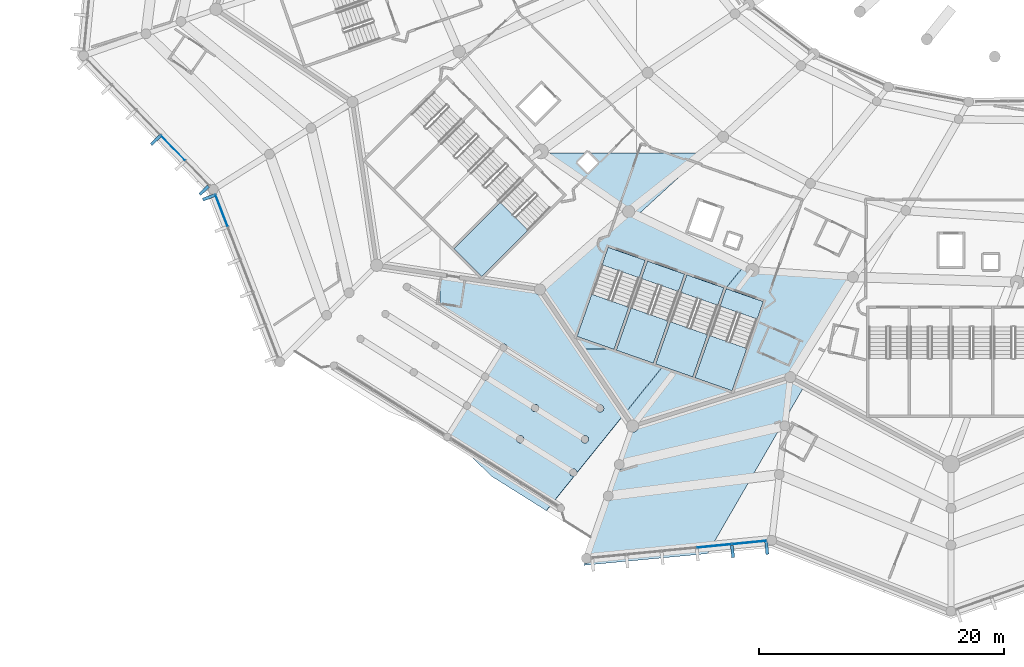
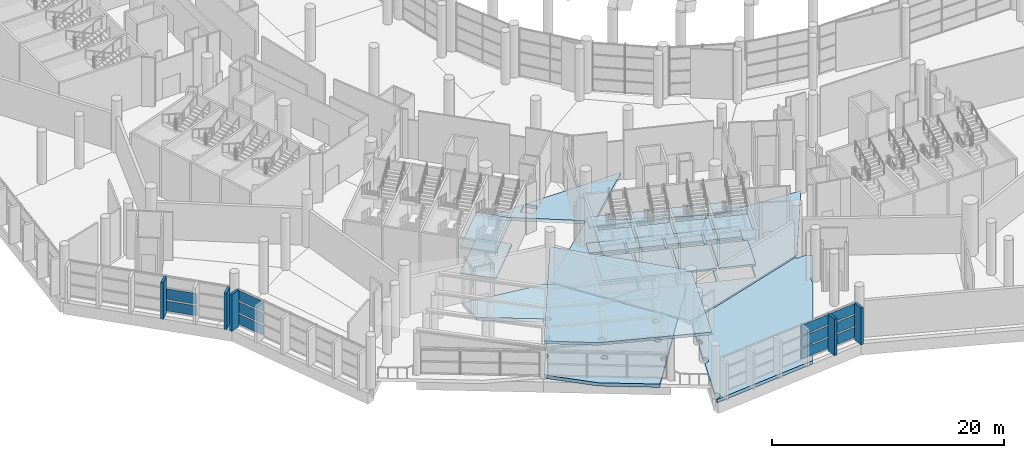
# One storey, part 114 of 271: 24 slabs, 16 plates, 8 elements without a shape of their own.
"""IFC4 building model written with IfcOpenShell, lengths in metres."""

from ifc_helpers import new_model, si_unit, direction, frame, origin, origin_2d, place, context, subcontext, project, spatial, polyline, rectangle, outline, extrude, material, layer, layer_set, type_object, element, aggregate, save


model = new_model("IFC4")

# Units and contexts
model_context = context("Model", 3, precision=1e-05, world=origin(), true_north=direction((0.0, 1.0)))
body_context = subcontext(model_context, "Body", "Model", "MODEL_VIEW")
ifc_project = project(units=[si_unit("LENGTHUNIT", "METRE"), si_unit("AREAUNIT", "SQUARE_METRE"), si_unit("VOLUMEUNIT", "CUBIC_METRE"), si_unit("PLANEANGLEUNIT", "RADIAN"), si_unit("MASSUNIT", "GRAM", prefix="KILO")], contexts=[model_context])

# Site, building, storey
site_placement = place(None, origin())
site = spatial("IfcSite", under=ifc_project, at=site_placement, CompositionType="ELEMENT")
building_placement = place(site_placement, origin())
building = spatial("IfcBuilding", under=site, at=building_placement, Name="Meseta Stadium", CompositionType="ELEMENT")
storey_placement = place(building_placement, frame((0.0, 0.0, 6.5)))
storey = spatial("IfcBuildingStorey", under=building, at=storey_placement, Name="L01", CompositionType="ELEMENT", Elevation=6.5)

# Slabs
ifc_material_1 = material(Name="Concrete C40/50", Category="concrete")
ifc_layer_1 = layer(ifc_material_1, 0.35009765625)
ifc_layer_set_1 = layer_set([ifc_layer_1], Name="Floor slab 350")
slab_type_1 = type_object("IfcSlabType", Name="Floor slab 350", PredefinedType="FLOOR", material=ifc_layer_set_1)
slab_1_placement = place(storey_placement, frame((0.0, 0.0, -0.35009765625)))
element("IfcSlab", 1, at=slab_1_placement, inside=storey, type_object=slab_type_1, Name="Floor slab L01 sector 35 panel 14", PredefinedType="FLOOR", context=body_context, shape_type="SweptSolid", body=[
    extrude(outline(polyline([(-65.8173828125, -96.0380859375), (-65.9267578125, -96.0), (-68.56640625, -96.0), (-64.973388671875, -101.294921875), (-61.85107421875, -97.426025390625), (-62.419677734375, -97.227294921875), (-61.990234375, -96.0), (-62.201904296875, -96.0), (-62.6083984375, -97.1611328125), (-65.62890625, -96.104248046875), (-65.59228515625, -96.0), (-65.80419921875, -96.0), (-65.8173828125, -96.0380859375)])), origin(), (0.0, 0.0, 1.0), 0.35009765625),
])
slab_2_placement = place(storey_placement, frame((0.0, 0.0, -0.35009765625)))
element("IfcSlab", 2, at=slab_2_placement, inside=storey, type_object=slab_type_1, Name="Floor slab L01 sector 35 panel 15", PredefinedType="FLOOR", context=body_context, shape_type="SweptSolid", body=[
    extrude(outline(polyline([(-67.114501953125, -80.802001953125), (-67.963134765625, -81.650390625), (-68.811767578125, -80.802001953125), (-68.009765625, -80.0), (-71.61328125, -80.0), (-64.6220703125, -84.79248046875), (-71.856689453125, -91.15087890625), (-68.56640625, -96.0), (-65.9267578125, -96.0), (-68.837890625, -94.981201171875), (-66.294921875, -87.71337890625), (-63.2744140625, -88.770263671875), (-65.80419921875, -96.0), (-65.59228515625, -96.0), (-63.085693359375, -88.836181640625), (-60.065185546875, -89.893310546875), (-62.201904296875, -96.0), (-61.990234375, -96.0), (-59.87646484375, -89.959228515625), (-56.85595703125, -91.01611328125), (-56.9921875, -91.40576171875), (-55.242919921875, -89.238037109375), (-63.932373046875, -85.119384765625), (-58.33984375, -80.0), (-67.91650390625, -80.0), (-67.114501953125, -80.802001953125)])), origin(), (0.0, 0.0, 1.0), 0.35009765625),
])
slab_3_placement = place(storey_placement, frame((0.0, 0.0, -0.35009765625)))
element("IfcSlab", 3, at=slab_3_placement, inside=storey, type_object=slab_type_1, Name="Floor slab L01 sector 42 panel 01", PredefinedType="FLOOR", context=body_context, shape_type="SweptSolid", body=[
    extrude(outline(polyline([(-59.399169921875, -98.2841796875), (-61.8310546875, -97.43310546875), (-64.961669921875, -101.312255859375), (-64.297607421875, -102.291015625), (-51.44140625, -98.29443359375), (-46.333251953125, -90.126220703125), (-54.523193359375, -89.579345703125), (-55.224365234375, -89.246826171875), (-57.011962890625, -91.4619140625), (-59.399169921875, -98.2841796875)]), holes=[polyline([(-56.667236328125, -91.082275390625), (-53.646728515625, -92.13916015625), (-56.18994140625, -99.406982421875), (-59.21044921875, -98.35009765625), (-56.667236328125, -91.082275390625)])]), origin(), (0.0, 0.0, 1.0), 0.35009765625),
])
slab_4_placement = place(storey_placement, frame((0.0, 0.0, -0.35009765625)))
element("IfcSlab", 4, at=slab_4_placement, inside=storey, type_object=slab_type_1, Name="Ring floor slab L01 6 panel 01", PredefinedType="FLOOR", context=body_context, shape_type="SweptSolid", body=[
    extrude(outline(polyline([(-67.671630859375, -113.0869140625), (-67.685302734375, -113.19140625), (-67.7255859375, -113.28857421875), (-67.789794921875, -113.372314453125), (-67.873291015625, -113.436279296875), (-67.970703125, -113.4765625), (-68.0751953125, -113.490478515625), (-68.179443359375, -113.4765625), (-68.20751953125, -113.465087890625), (-68.273193359375, -113.6533203125), (-58.19482421875, -112.697998046875), (-52.25732421875, -102.426025390625), (-52.279052734375, -102.373779296875), (-52.292724609375, -102.269287109375), (-52.279052734375, -102.164794921875), (-52.23876953125, -102.0673828125), (-52.174560546875, -101.98388671875), (-52.091064453125, -101.919921875), (-51.993896484375, -101.879638671875), (-51.937255859375, -101.8720703125), (-50.3193359375, -99.0732421875), (-51.138671875, -98.629150390625), (-51.214599609375, -98.6875), (-51.323974609375, -98.73291015625), (-51.44140625, -98.748291015625), (-51.558837890625, -98.73291015625), (-51.66845703125, -98.6875), (-51.762451171875, -98.615478515625), (-51.802001953125, -98.563720703125), (-63.793212890625, -102.29150390625), (-63.810302734375, -102.421630859375), (-63.860595703125, -102.543212890625), (-63.94091796875, -102.647705078125), (-64.04541015625, -102.727783203125), (-64.1669921875, -102.7783203125), (-64.297607421875, -102.79541015625), (-64.427978515625, -102.7783203125), (-64.462890625, -102.763916015625), (-65.26123046875, -105.045654296875), (-65.19189453125, -105.07421875), (-65.1083984375, -105.138427734375), (-65.044189453125, -105.221923828125), (-65.00390625, -105.3193359375), (-64.989990234375, -105.423583984375), (-65.00390625, -105.528076171875), (-65.044189453125, -105.62548828125), (-65.1083984375, -105.708984375), (-65.19189453125, -105.773193359375), (-65.289306640625, -105.8134765625), (-65.3935546875, -105.8271484375), (-65.498046875, -105.8134765625), (-65.52587890625, -105.802001953125), (-66.1591796875, -107.61181640625), (-66.08984375, -107.640380859375), (-66.00634765625, -107.70458984375), (-65.942138671875, -107.7880859375), (-65.90185546875, -107.885498046875), (-65.88818359375, -107.989990234375), (-65.90185546875, -108.094482421875), (-65.942138671875, -108.191650390625), (-66.00634765625, -108.275146484375), (-66.08984375, -108.33935546875), (-66.18701171875, -108.379638671875), (-66.29150390625, -108.393310546875), (-66.39599609375, -108.379638671875), (-66.423828125, -108.3681640625), (-67.942626953125, -112.708740234375), (-67.873291015625, -112.737548828125), (-67.789794921875, -112.801513671875), (-67.7255859375, -112.88525390625), (-67.685302734375, -112.982421875), (-67.671630859375, -113.0869140625)])), origin(), (0.0, 0.0, 1.0), 0.35009765625),
])
slab_5_placement = place(storey_placement, frame((0.0, 0.0, -0.35009765625)))
element("IfcSlab", 5, at=slab_5_placement, inside=storey, type_object=slab_type_1, Name="Gate hall floor slab 6 part 1 panel 02", PredefinedType="FLOOR", context=body_context, shape_type="SweptSolid", body=[
    extrude(outline(polyline([(-68.84521484375, -106.008544921875), (-68.835693359375, -106.080810546875), (-65.091552734375, -101.44140625), (-71.773681640625, -91.59375), (-71.856689453125, -91.604736328125), (-71.97412109375, -91.589111328125), (-72.083740234375, -91.5439453125), (-72.177734375, -91.4716796875), (-72.249755859375, -91.377685546875), (-72.29541015625, -91.267578125), (-80.0, -90.123779296875), (-80.0, -92.647705078125), (-75.09130859375, -95.732177734375), (-75.050048828125, -95.678466796875), (-74.9873046875, -95.63037109375), (-74.91455078125, -95.60009765625), (-74.836181640625, -95.58984375), (-74.7578125, -95.60009765625), (-74.684814453125, -95.63037109375), (-74.622314453125, -95.678466796875), (-74.57421875, -95.7412109375), (-74.5439453125, -95.814208984375), (-74.533447265625, -95.892578125), (-74.5439453125, -95.970703125), (-74.57421875, -96.043701171875), (-74.622314453125, -96.1064453125), (-74.684814453125, -96.154541015625), (-74.7578125, -96.184814453125), (-74.836181640625, -96.195068359375), (-74.91455078125, -96.184814453125), (-74.9873046875, -96.154541015625), (-74.996337890625, -96.147705078125), (-76.16552734375, -98.008056640625), (-76.11181640625, -98.04931640625), (-76.063720703125, -98.112060546875), (-76.03369140625, -98.18505859375), (-76.023193359375, -98.26318359375), (-76.03369140625, -98.341552734375), (-76.063720703125, -98.41455078125), (-76.11181640625, -98.477294921875), (-76.174560546875, -98.525390625), (-76.24755859375, -98.5556640625), (-76.32568359375, -98.56591796875), (-76.404052734375, -98.5556640625), (-76.47705078125, -98.525390625), (-76.486083984375, -98.518310546875), (-77.6552734375, -100.37890625), (-77.6015625, -100.420166015625), (-77.553466796875, -100.48291015625), (-77.523193359375, -100.555908203125), (-77.512939453125, -100.634033203125), (-77.523193359375, -100.71240234375), (-77.553466796875, -100.785400390625), (-77.6015625, -100.84814453125), (-77.664306640625, -100.896240234375), (-77.7373046875, -100.926513671875), (-77.8154296875, -100.936767578125), (-77.893798828125, -100.926513671875), (-77.966796875, -100.896240234375), (-77.975830078125, -100.889404296875), (-79.251220703125, -102.919189453125), (-79.19775390625, -102.960205078125), (-79.149658203125, -103.02294921875), (-79.119384765625, -103.095947265625), (-79.10888671875, -103.17431640625), (-79.111328125, -103.19189453125), (-75.799560546875, -106.388916015625), (-71.34375, -109.1884765625), (-69.07861328125, -106.3818359375), (-69.137451171875, -106.389404296875), (-69.2158203125, -106.379150390625), (-69.288818359375, -106.348876953125), (-69.351318359375, -106.30078125), (-69.3994140625, -106.23828125), (-69.4296875, -106.165283203125), (-69.440185546875, -106.0869140625), (-69.4296875, -106.008544921875), (-69.3994140625, -105.935546875), (-69.351318359375, -105.872802734375), (-69.288818359375, -105.82470703125), (-69.2158203125, -105.794677734375), (-69.137451171875, -105.7841796875), (-69.05908203125, -105.794677734375), (-68.986083984375, -105.82470703125), (-68.923583984375, -105.872802734375), (-68.87548828125, -105.935546875), (-68.84521484375, -106.008544921875)]), holes=[polyline([(-73.18408203125, -103.2822265625), (-73.173828125, -103.360595703125), (-73.18408203125, -103.438720703125), (-73.21435546875, -103.51171875), (-73.262451171875, -103.574462890625), (-73.3251953125, -103.62255859375), (-73.398193359375, -103.65283203125), (-73.4765625, -103.6630859375), (-73.5546875, -103.65283203125), (-73.627685546875, -103.62255859375), (-73.6904296875, -103.574462890625), (-73.738525390625, -103.51171875), (-73.768798828125, -103.438720703125), (-73.779052734375, -103.360595703125), (-73.768798828125, -103.2822265625), (-73.738525390625, -103.209228515625), (-73.6904296875, -103.146484375), (-73.627685546875, -103.098388671875), (-73.5546875, -103.068115234375), (-73.4765625, -103.057861328125), (-73.398193359375, -103.068115234375), (-73.3251953125, -103.098388671875), (-73.262451171875, -103.146484375), (-73.21435546875, -103.209228515625), (-73.18408203125, -103.2822265625)]), polyline([(-68.26708984375, -103.668212890625), (-68.340087890625, -103.63818359375), (-68.40283203125, -103.590087890625), (-68.450927734375, -103.52734375), (-68.481201171875, -103.454345703125), (-68.491455078125, -103.3759765625), (-68.481201171875, -103.297607421875), (-68.450927734375, -103.224609375), (-68.40283203125, -103.162109375), (-68.340087890625, -103.114013671875), (-68.26708984375, -103.083740234375), (-68.18896484375, -103.073486328125), (-68.110595703125, -103.083740234375), (-68.03759765625, -103.114013671875), (-67.974853515625, -103.162109375), (-67.927001953125, -103.224609375), (-67.896484375, -103.297607421875), (-67.88623046875, -103.3759765625), (-67.896484375, -103.454345703125), (-67.927001953125, -103.52734375), (-67.974853515625, -103.590087890625), (-68.03759765625, -103.63818359375), (-68.110595703125, -103.668212890625), (-68.18896484375, -103.6787109375), (-68.26708984375, -103.668212890625)]), polyline([(-67.031005859375, -101.13818359375), (-67.10400390625, -101.10791015625), (-67.166748046875, -101.059814453125), (-67.21484375, -100.997314453125), (-67.2451171875, -100.92431640625), (-67.25537109375, -100.845947265625), (-67.2451171875, -100.767578125), (-67.21484375, -100.694580078125), (-67.166748046875, -100.6318359375), (-67.10400390625, -100.583740234375), (-67.031005859375, -100.5537109375), (-66.952880859375, -100.543212890625), (-66.87451171875, -100.5537109375), (-66.801513671875, -100.583740234375), (-66.73876953125, -100.6318359375), (-66.69091796875, -100.694580078125), (-66.660400390625, -100.767578125), (-66.650146484375, -100.845947265625), (-66.660400390625, -100.92431640625), (-66.69091796875, -100.997314453125), (-66.73876953125, -101.059814453125), (-66.801513671875, -101.10791015625), (-66.87451171875, -101.13818359375), (-66.952880859375, -101.1484375), (-67.031005859375, -101.13818359375)]), polyline([(-72.25732421875, -101.122314453125), (-72.335693359375, -101.11181640625), (-72.40869140625, -101.081787109375), (-72.47119140625, -101.03369140625), (-72.519287109375, -100.970947265625), (-72.549560546875, -100.89794921875), (-72.56005859375, -100.819580078125), (-72.549560546875, -100.7412109375), (-72.519287109375, -100.66845703125), (-72.47119140625, -100.605712890625), (-72.40869140625, -100.5576171875), (-72.335693359375, -100.52734375), (-72.25732421875, -100.51708984375), (-72.17919921875, -100.52734375), (-72.106201171875, -100.5576171875), (-72.04345703125, -100.605712890625), (-71.995361328125, -100.66845703125), (-71.965087890625, -100.7412109375), (-71.954833984375, -100.819580078125), (-71.965087890625, -100.89794921875), (-71.995361328125, -100.970947265625), (-72.04345703125, -101.03369140625), (-72.106201171875, -101.081787109375), (-72.17919921875, -101.11181640625), (-72.25732421875, -101.122314453125)])]), origin(), (0.0, 0.0, 1.0), 0.35009765625),
])
ifc_material_2 = material(Name="Concrete C40/50", Category="concrete")
ifc_layer_2 = layer(ifc_material_2, 0.300048828125)
ifc_layer_set_2 = layer_set([ifc_layer_2], Name="Gate roof plate 300")
slab_type_2 = type_object("IfcSlabType", Name="Gate roof plate 300", PredefinedType="ROOF", material=ifc_layer_set_2)
slab_6_placement = place(storey_placement, frame((-67.5458984375, -111.57470703125, 5.578857421875), z_axis=(-0.127905909661, 0.056974276691, 0.9901484788), x_axis=(0.330244069946, 0.943823697714, -0.011648257379)))
element("IfcSlab", 6, at=slab_6_placement, inside=storey, type_object=slab_type_2, Name="Gate 6 butterfly roof wing", PredefinedType="ROOF", context=body_context, shape_type="SweptSolid", body=[
    extrude(outline(polyline([(0.0, 0.0), (9.611993342507278, 8.673617379884035e-16), (17.681674333748443, 10.965226032702027), (4.2284102786741276, 14.067409656275064), (2.1846463987364255, 9.597146381249619), (0.0, 0.0)])), origin(), (0.0, 0.0, -1.0), 0.300048828125),
])

# Curtain wall, plates
ifc_material_3 = material(Name="Aluminium", Category="aluminium")
ifc_layer_3 = layer(ifc_material_3, 0.199951171875)
ifc_layer_set_3 = layer_set([ifc_layer_3], Name="Ring shopfront curtain wall")
curtain_wall_type = type_object("IfcCurtainWallType", Name="Ring shopfront curtain wall", PredefinedType="NOTDEFINED", material=ifc_layer_set_3)
curtain_wall_1_placement = place(storey_placement, origin())
curtain_wall_1 = element("IfcCurtainWall", 7, at=curtain_wall_1_placement, inside=storey, type_object=curtain_wall_type, Name="Ring glazing L01 F38", PredefinedType="NOTDEFINED")
ifc_material_4 = material(Name="Glass", Category="glass")
ifc_layer_4 = layer(ifc_material_4, 0.035888671875)
ifc_layer_set_4 = layer_set([ifc_layer_4], Name="Ring CW glass panel 36")
plate_type_1 = type_object("IfcPlateType", Name="Ring CW glass panel 36", PredefinedType="CURTAIN_PANEL", material=ifc_layer_set_4)
plate_1_placement = place(storey_placement, frame((-101.785400390625, -79.597900390625, 0.14990234375), z_axis=(0.0, 0.0, 1.0), x_axis=(0.6964727488, -0.717583242683, 0.0)))
plate_1 = element("IfcPlate", 8, at=plate_1_placement, type_object=plate_type_1, Name="CWR1 panel 4.1", PredefinedType="CURTAIN_PANEL", context=body_context, shape_type="SweptSolid", body=[
    extrude(rectangle(XDim=2.821044921875, YDim=0.035888671875, at=origin_2d()), origin(), (0.0, 0.0, 1.0), 1.058349609375),
])
plate_2_placement = place(storey_placement, frame((-101.785400390625, -79.597900390625, 1.3583984375), z_axis=(0.0, 0.0, 1.0), x_axis=(0.6964727488, -0.717583242683, 0.0)))
plate_2 = element("IfcPlate", 9, at=plate_2_placement, type_object=plate_type_1, Name="CWR1 panel 4.2", PredefinedType="CURTAIN_PANEL", context=body_context, shape_type="SweptSolid", body=[
    extrude(rectangle(XDim=2.821044921875, YDim=0.035888671875, at=origin_2d()), origin(), (0.0, 0.0, 1.0), 1.13330078125),
])
aggregate(curtain_wall_1, [plate_1, plate_2])

curtain_wall_2_placement = place(storey_placement, origin())
curtain_wall_2 = element("IfcCurtainWall", 10, at=curtain_wall_2_placement, inside=storey, type_object=curtain_wall_type, Name="Ring glazing L01 F39", PredefinedType="NOTDEFINED")
plate_3_placement = place(storey_placement, frame((-97.834228515625, -84.707275390625, 0.14990234375), z_axis=(0.0, 0.0, 1.0), x_axis=(0.359302033734, -0.933221328815, 0.0)))
plate_3 = element("IfcPlate", 11, at=plate_3_placement, type_object=plate_type_1, Name="CWR1 panel 1.1", PredefinedType="CURTAIN_PANEL", context=body_context, shape_type="SweptSolid", body=[
    extrude(rectangle(XDim=2.76904296875, YDim=0.035888671875, at=origin_2d()), origin(), (0.0, 0.0, 1.0), 1.058349609375),
])
plate_4_placement = place(storey_placement, frame((-97.834228515625, -84.707275390625, 1.3583984375), z_axis=(0.0, 0.0, 1.0), x_axis=(0.359302033734, -0.933221328815, 0.0)))
plate_4 = element("IfcPlate", 12, at=plate_4_placement, type_object=plate_type_1, Name="CWR1 panel 1.2", PredefinedType="CURTAIN_PANEL", context=body_context, shape_type="SweptSolid", body=[
    extrude(rectangle(XDim=2.76904296875, YDim=0.035888671875, at=origin_2d()), origin(), (0.0, 0.0, 1.0), 1.13330078125),
])
plate_5_placement = place(storey_placement, frame((-97.834228515625, -84.707275390625, 2.6416015625), z_axis=(0.0, 0.0, 1.0), x_axis=(0.359302033734, -0.933221328815, 0.0)))
plate_5 = element("IfcPlate", 13, at=plate_5_placement, type_object=plate_type_1, Name="CWR1 panel 1.3", PredefinedType="CURTAIN_PANEL", context=body_context, shape_type="SweptSolid", body=[
    extrude(rectangle(XDim=2.76904296875, YDim=0.035888671875, at=origin_2d()), origin(), (0.0, 0.0, 1.0), 1.058349609375),
])
aggregate(curtain_wall_2, [plate_3, plate_4, plate_5])

curtain_wall_3_placement = place(storey_placement, origin())
curtain_wall_3 = element("IfcCurtainWall", 14, at=curtain_wall_3_placement, inside=storey, type_object=curtain_wall_type, Name="Ring glazing L01 F42", PredefinedType="NOTDEFINED")
plate_6_placement = place(storey_placement, frame((-57.64111328125, -112.06884765625, 0.14990234375), z_axis=(0.0, 0.0, 1.0), x_axis=(0.995272228282, 0.097124618973, 0.0)))
plate_6 = element("IfcPlate", 15, at=plate_6_placement, type_object=plate_type_1, Name="CWR1 panel 4.1", PredefinedType="CURTAIN_PANEL", context=body_context, shape_type="SweptSolid", body=[
    extrude(rectangle(XDim=2.821044921875, YDim=0.035888671875, at=origin_2d()), origin(), (0.0, 0.0, 1.0), 1.058349609375),
])
plate_7_placement = place(storey_placement, frame((-57.64111328125, -112.06884765625, 1.3583984375), z_axis=(0.0, 0.0, 1.0), x_axis=(0.995272228282, 0.097124618973, 0.0)))
plate_7 = element("IfcPlate", 16, at=plate_7_placement, type_object=plate_type_1, Name="CWR1 panel 4.2", PredefinedType="CURTAIN_PANEL", context=body_context, shape_type="SweptSolid", body=[
    extrude(rectangle(XDim=2.821044921875, YDim=0.035888671875, at=origin_2d()), origin(), (0.0, 0.0, 1.0), 1.13330078125),
])
plate_8_placement = place(storey_placement, frame((-57.64111328125, -112.06884765625, 2.6416015625), z_axis=(0.0, 0.0, 1.0), x_axis=(0.995272228282, 0.097124618973, 0.0)))
plate_8 = element("IfcPlate", 17, at=plate_8_placement, type_object=plate_type_1, Name="CWR1 panel 4.3", PredefinedType="CURTAIN_PANEL", context=body_context, shape_type="SweptSolid", body=[
    extrude(rectangle(XDim=2.821044921875, YDim=0.035888671875, at=origin_2d()), origin(), (0.0, 0.0, 1.0), 1.058349609375),
])
plate_9_placement = place(storey_placement, frame((-54.78857421875, -111.790283203125, 0.14990234375), z_axis=(0.0, 0.0, 1.0), x_axis=(0.995272228282, 0.097124618973, 0.0)))
plate_9 = element("IfcPlate", 18, at=plate_9_placement, type_object=plate_type_1, Name="CWR1 panel 5.1", PredefinedType="CURTAIN_PANEL", context=body_context, shape_type="SweptSolid", body=[
    extrude(rectangle(XDim=2.791015625, YDim=0.035888671875, at=origin_2d()), origin(), (0.0, 0.0, 1.0), 1.058349609375),
])
plate_10_placement = place(storey_placement, frame((-54.78857421875, -111.790283203125, 1.3583984375), z_axis=(0.0, 0.0, 1.0), x_axis=(0.995272228282, 0.097124618973, 0.0)))
plate_10 = element("IfcPlate", 19, at=plate_10_placement, type_object=plate_type_1, Name="CWR1 panel 5.2", PredefinedType="CURTAIN_PANEL", context=body_context, shape_type="SweptSolid", body=[
    extrude(rectangle(XDim=2.791015625, YDim=0.035888671875, at=origin_2d()), origin(), (0.0, 0.0, 1.0), 1.13330078125),
])
plate_11_placement = place(storey_placement, frame((-54.78857421875, -111.790283203125, 2.6416015625), z_axis=(0.0, 0.0, 1.0), x_axis=(0.995272228282, 0.097124618973, 0.0)))
plate_11 = element("IfcPlate", 20, at=plate_11_placement, type_object=plate_type_1, Name="CWR1 panel 5.3", PredefinedType="CURTAIN_PANEL", context=body_context, shape_type="SweptSolid", body=[
    extrude(rectangle(XDim=2.791015625, YDim=0.035888671875, at=origin_2d()), origin(), (0.0, 0.0, 1.0), 1.058349609375),
])
aggregate(curtain_wall_3, [plate_6, plate_7, plate_8, plate_9, plate_10, plate_11])

# Plates
ifc_material_5 = material(Name="Precast concrete C40/50", Category="concrete")
ifc_layer_5 = layer(ifc_material_5, 0.25)
ifc_layer_set_5 = layer_set([ifc_layer_5], Name="Ring brise-soleil fin 250x1000")
plate_type_2 = type_object("IfcPlateType", Name="Ring brise-soleil fin 250x1000", PredefinedType="USERDEFINED", material=ifc_layer_set_5)
for number, where, z_axis, x_axis, name in (
    (21, (-103.21923828125, -78.982177734375, 0.0), (0.0, 0.0, 1.0), (0.696475344559, -0.717580723279, 0.0), "Brise-soleil fin L01 F38.4"),
    (22, (-99.25830078125, -83.06298828125, 0.0), (0.0, 0.0, 1.0), (0.696475344559, -0.717580723279, 0.0), "Brise-soleil fin L01 F38.6"),
    (23, (-98.88623046875, -83.644775390625, 0.0), (0.0, 0.0, 1.0), (0.359298161815, -0.933222819543, 0.0), "Brise-soleil fin L01 F39.1"),
    (24, (-56.14892578125, -112.52587890625, 0.0), (0.0, 0.0, 1.0), (0.995272426819, 0.097122584472, 0.0), "Brise-soleil fin L01 F42.5"),
    (25, (-53.356201171875, -112.25341796875, 0.0), (0.0, 0.0, 1.0), (0.995272426819, 0.097122584472, 0.0), "Brise-soleil fin L01 F42.6"),
):
    element("IfcPlate", number, at=place(storey_placement, frame(where, z_axis=z_axis, x_axis=x_axis)), inside=storey, type_object=plate_type_2, Name=name, ObjectType="FIN", PredefinedType="USERDEFINED", context=body_context, shape_type="SweptSolid", body=[
        extrude(rectangle(XDim=0.25, YDim=1.0, at=origin_2d()), origin(), (0.0, 0.0, 1.0), 3.85009765625),
    ])

# Stair, slabs
ifc_material_6 = material(Name="Concrete C40/50", Category="concrete")
stair_type = type_object("IfcStairType", Name="Exit stair 4 flights 153 mm risers", PredefinedType="HALF_TURN_STAIR", material=ifc_material_6)
stair_1_placement = place(storey_placement, origin())
stair_1 = element("IfcStair", 26, at=stair_1_placement, inside=storey, type_object=stair_type, Name="ST84 L01", PredefinedType="HALF_TURN_STAIR")
ifc_material_7 = material(Name="Concrete C40/50", Category="concrete")
ifc_layer_6 = layer(ifc_material_7, 0.199951171875)
ifc_layer_set_6 = layer_set([ifc_layer_6], Name="Stair landing 200")
slab_type_3 = type_object("IfcSlabType", Name="Stair landing 200", PredefinedType="LANDING", material=ifc_layer_set_6)
slab_7_placement = place(storey_placement, frame((0.0, 0.0, 1.175048828125)))
slab_7 = element("IfcSlab", 27, at=slab_7_placement, type_object=slab_type_3, Name="ST84 L01 landing 1", PredefinedType="LANDING", context=body_context, shape_type="SweptSolid", body=[
    extrude(outline(polyline([(-75.097412109375, -84.047119140625), (-78.88037109375, -87.830322265625), (-76.61767578125, -90.093017578125), (-72.834716796875, -86.309814453125), (-75.097412109375, -84.047119140625)])), origin(), (0.0, 0.0, 1.0), 0.199951171875),
])
slab_8_placement = place(storey_placement, frame((0.0, 0.0, 3.925048828125)))
slab_8 = element("IfcSlab", 28, at=slab_8_placement, type_object=slab_type_3, Name="ST84 L01 landing 3", PredefinedType="LANDING", context=body_context, shape_type="SweptSolid", body=[
    extrude(outline(polyline([(-75.097412109375, -84.047119140625), (-78.88037109375, -87.830322265625), (-76.61767578125, -90.093017578125), (-72.834716796875, -86.309814453125), (-75.097412109375, -84.047119140625)])), origin(), (0.0, 0.0, 1.0), 0.199951171875),
])
aggregate(stair_1, [slab_7, slab_8])

stair_2_placement = place(storey_placement, origin())
stair_2 = element("IfcStair", 29, at=stair_2_placement, inside=storey, type_object=stair_type, Name="ST85 L01", PredefinedType="HALF_TURN_STAIR")
slab_9_placement = place(storey_placement, frame((0.0, 0.0, 1.175048828125)))
slab_9 = element("IfcSlab", 30, at=slab_9_placement, type_object=slab_type_3, Name="ST85 L01 landing 1", PredefinedType="LANDING", context=body_context, shape_type="SweptSolid", body=[
    extrude(outline(polyline([(-67.632568359375, -91.5361328125), (-68.837890625, -94.981201171875), (-65.817626953125, -96.0380859375), (-64.612060546875, -92.593017578125), (-67.632568359375, -91.5361328125)])), origin(), (0.0, 0.0, 1.0), 0.199951171875),
])
slab_10_placement = place(storey_placement, frame((0.0, 0.0, 2.550048828125)))
slab_10 = element("IfcSlab", 31, at=slab_10_placement, type_object=slab_type_3, Name="ST85 L01 landing 2", PredefinedType="LANDING", context=body_context, shape_type="SweptSolid", body=[
    extrude(outline(polyline([(-66.294921875, -87.71337890625), (-66.79345703125, -89.138671875), (-63.773193359375, -90.195556640625), (-63.2744140625, -88.770263671875), (-66.294921875, -87.71337890625)])), origin(), (0.0, 0.0, 1.0), 0.199951171875),
])
slab_11_placement = place(storey_placement, frame((0.0, 0.0, 3.925048828125)))
slab_11 = element("IfcSlab", 32, at=slab_11_placement, type_object=slab_type_3, Name="ST85 L01 landing 3", PredefinedType="LANDING", context=body_context, shape_type="SweptSolid", body=[
    extrude(outline(polyline([(-67.632568359375, -91.5361328125), (-68.837890625, -94.981201171875), (-65.817626953125, -96.0380859375), (-64.612060546875, -92.593017578125), (-67.632568359375, -91.5361328125)])), origin(), (0.0, 0.0, 1.0), 0.199951171875),
])
slab_12_placement = place(storey_placement, frame((0.0, 0.0, -0.199951171875)))
slab_12 = element("IfcSlab", 33, at=slab_12_placement, type_object=slab_type_3, Name="ST85 L01 landing 4", PredefinedType="LANDING", context=body_context, shape_type="SweptSolid", body=[
    extrude(outline(polyline([(-66.294921875, -87.71337890625), (-66.79345703125, -89.138671875), (-63.773193359375, -90.195556640625), (-63.2744140625, -88.770263671875), (-66.294921875, -87.71337890625)])), origin(), (0.0, 0.0, 1.0), 0.199951171875),
])
aggregate(stair_2, [slab_9, slab_10, slab_11, slab_12])

stair_3_placement = place(storey_placement, origin())
stair_3 = element("IfcStair", 34, at=stair_3_placement, inside=storey, type_object=stair_type, Name="ST86 L01", PredefinedType="HALF_TURN_STAIR")
slab_13_placement = place(storey_placement, frame((0.0, 0.0, 1.175048828125)))
slab_13 = element("IfcSlab", 35, at=slab_13_placement, type_object=slab_type_3, Name="ST86 L01 landing 1", PredefinedType="LANDING", context=body_context, shape_type="SweptSolid", body=[
    extrude(outline(polyline([(-64.42333984375, -92.6591796875), (-65.628662109375, -96.104248046875), (-62.6083984375, -97.1611328125), (-61.40283203125, -93.716064453125), (-64.42333984375, -92.6591796875)])), origin(), (0.0, 0.0, 1.0), 0.199951171875),
])
slab_14_placement = place(storey_placement, frame((0.0, 0.0, 2.550048828125)))
slab_14 = element("IfcSlab", 36, at=slab_14_placement, type_object=slab_type_3, Name="ST86 L01 landing 2", PredefinedType="LANDING", context=body_context, shape_type="SweptSolid", body=[
    extrude(outline(polyline([(-63.085693359375, -88.83642578125), (-63.584228515625, -90.26171875), (-60.56396484375, -91.318603515625), (-60.065185546875, -89.893310546875), (-63.085693359375, -88.83642578125)])), origin(), (0.0, 0.0, 1.0), 0.199951171875),
])
slab_15_placement = place(storey_placement, frame((0.0, 0.0, 3.925048828125)))
slab_15 = element("IfcSlab", 37, at=slab_15_placement, type_object=slab_type_3, Name="ST86 L01 landing 3", PredefinedType="LANDING", context=body_context, shape_type="SweptSolid", body=[
    extrude(outline(polyline([(-64.42333984375, -92.6591796875), (-65.628662109375, -96.104248046875), (-62.6083984375, -97.1611328125), (-61.40283203125, -93.716064453125), (-64.42333984375, -92.6591796875)])), origin(), (0.0, 0.0, 1.0), 0.199951171875),
])
slab_16_placement = place(storey_placement, frame((0.0, 0.0, -0.199951171875)))
slab_16 = element("IfcSlab", 38, at=slab_16_placement, type_object=slab_type_3, Name="ST86 L01 landing 4", PredefinedType="LANDING", context=body_context, shape_type="SweptSolid", body=[
    extrude(outline(polyline([(-63.085693359375, -88.83642578125), (-63.584228515625, -90.26171875), (-60.56396484375, -91.318603515625), (-60.065185546875, -89.893310546875), (-63.085693359375, -88.83642578125)])), origin(), (0.0, 0.0, 1.0), 0.199951171875),
])
aggregate(stair_3, [slab_13, slab_14, slab_15, slab_16])

stair_4_placement = place(storey_placement, origin())
stair_4 = element("IfcStair", 39, at=stair_4_placement, inside=storey, type_object=stair_type, Name="ST87 L01", PredefinedType="HALF_TURN_STAIR")
slab_17_placement = place(storey_placement, frame((0.0, 0.0, 1.175048828125)))
slab_17 = element("IfcSlab", 40, at=slab_17_placement, type_object=slab_type_3, Name="ST87 L01 landing 1", PredefinedType="LANDING", context=body_context, shape_type="SweptSolid", body=[
    extrude(outline(polyline([(-61.214111328125, -93.781982421875), (-62.419677734375, -97.227294921875), (-59.399169921875, -98.2841796875), (-58.193603515625, -94.8388671875), (-61.214111328125, -93.781982421875)])), origin(), (0.0, 0.0, 1.0), 0.199951171875),
])
slab_18_placement = place(storey_placement, frame((0.0, 0.0, 2.550048828125)))
slab_18 = element("IfcSlab", 41, at=slab_18_placement, type_object=slab_type_3, Name="ST87 L01 landing 2", PredefinedType="LANDING", context=body_context, shape_type="SweptSolid", body=[
    extrude(outline(polyline([(-59.87646484375, -89.959228515625), (-60.375244140625, -91.384521484375), (-57.354736328125, -92.44140625), (-56.85595703125, -91.01611328125), (-59.87646484375, -89.959228515625)])), origin(), (0.0, 0.0, 1.0), 0.199951171875),
])
slab_19_placement = place(storey_placement, frame((0.0, 0.0, 3.925048828125)))
slab_19 = element("IfcSlab", 42, at=slab_19_placement, type_object=slab_type_3, Name="ST87 L01 landing 3", PredefinedType="LANDING", context=body_context, shape_type="SweptSolid", body=[
    extrude(outline(polyline([(-61.214111328125, -93.781982421875), (-62.419677734375, -97.227294921875), (-59.399169921875, -98.2841796875), (-58.193603515625, -94.8388671875), (-61.214111328125, -93.781982421875)])), origin(), (0.0, 0.0, 1.0), 0.199951171875),
])
slab_20_placement = place(storey_placement, frame((0.0, 0.0, -0.199951171875)))
slab_20 = element("IfcSlab", 43, at=slab_20_placement, type_object=slab_type_3, Name="ST87 L01 landing 4", PredefinedType="LANDING", context=body_context, shape_type="SweptSolid", body=[
    extrude(outline(polyline([(-59.87646484375, -89.959228515625), (-60.375244140625, -91.384521484375), (-57.354736328125, -92.44140625), (-56.85595703125, -91.01611328125), (-59.87646484375, -89.959228515625)])), origin(), (0.0, 0.0, 1.0), 0.199951171875),
])
aggregate(stair_4, [slab_17, slab_18, slab_19, slab_20])

stair_5_placement = place(storey_placement, origin())
stair_5 = element("IfcStair", 44, at=stair_5_placement, inside=storey, type_object=stair_type, Name="ST88 L01", PredefinedType="HALF_TURN_STAIR")
slab_21_placement = place(storey_placement, frame((0.0, 0.0, 1.175048828125)))
slab_21 = element("IfcSlab", 45, at=slab_21_placement, type_object=slab_type_3, Name="ST88 L01 landing 1", PredefinedType="LANDING", context=body_context, shape_type="SweptSolid", body=[
    extrude(outline(polyline([(-58.0048828125, -94.905029296875), (-59.21044921875, -98.35009765625), (-56.18994140625, -99.406982421875), (-54.984375, -95.9619140625), (-58.0048828125, -94.905029296875)])), origin(), (0.0, 0.0, 1.0), 0.199951171875),
])
slab_22_placement = place(storey_placement, frame((0.0, 0.0, 2.550048828125)))
slab_22 = element("IfcSlab", 46, at=slab_22_placement, type_object=slab_type_3, Name="ST88 L01 landing 2", PredefinedType="LANDING", context=body_context, shape_type="SweptSolid", body=[
    extrude(outline(polyline([(-56.667236328125, -91.082275390625), (-57.166015625, -92.507568359375), (-54.1455078125, -93.564453125), (-53.646728515625, -92.13916015625), (-56.667236328125, -91.082275390625)])), origin(), (0.0, 0.0, 1.0), 0.199951171875),
])
slab_23_placement = place(storey_placement, frame((0.0, 0.0, 3.925048828125)))
slab_23 = element("IfcSlab", 47, at=slab_23_placement, type_object=slab_type_3, Name="ST88 L01 landing 3", PredefinedType="LANDING", context=body_context, shape_type="SweptSolid", body=[
    extrude(outline(polyline([(-58.0048828125, -94.905029296875), (-59.21044921875, -98.35009765625), (-56.18994140625, -99.406982421875), (-54.984375, -95.9619140625), (-58.0048828125, -94.905029296875)])), origin(), (0.0, 0.0, 1.0), 0.199951171875),
])
slab_24_placement = place(storey_placement, frame((0.0, 0.0, -0.199951171875)))
slab_24 = element("IfcSlab", 48, at=slab_24_placement, type_object=slab_type_3, Name="ST88 L01 landing 4", PredefinedType="LANDING", context=body_context, shape_type="SweptSolid", body=[
    extrude(outline(polyline([(-56.667236328125, -91.082275390625), (-57.166015625, -92.507568359375), (-54.1455078125, -93.564453125), (-53.646728515625, -92.13916015625), (-56.667236328125, -91.082275390625)])), origin(), (0.0, 0.0, 1.0), 0.199951171875),
])
aggregate(stair_5, [slab_21, slab_22, slab_23, slab_24])

save(model, "model.ifc")
